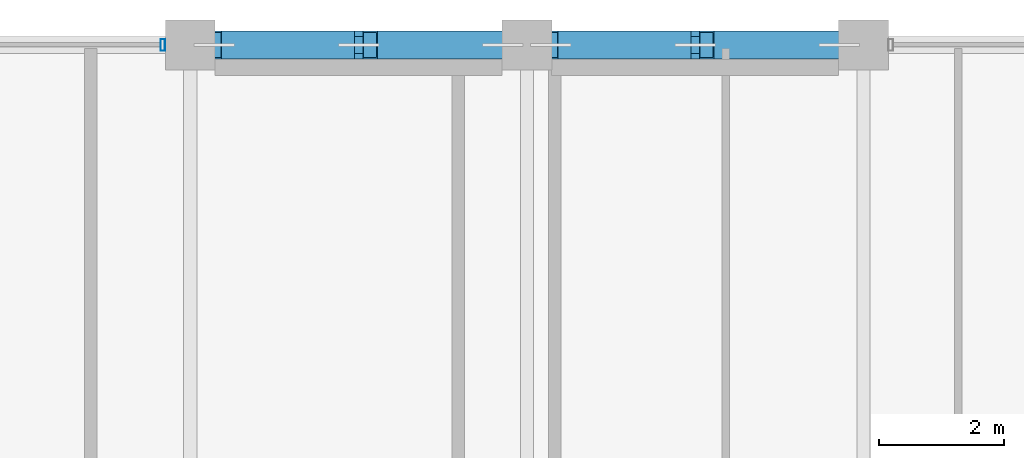
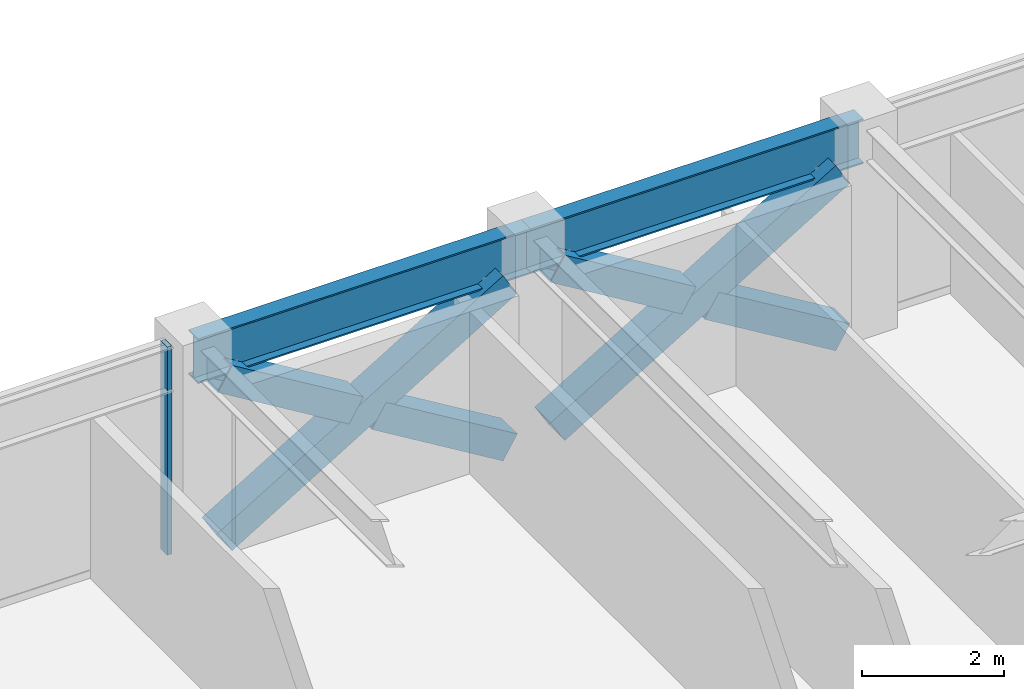
# One storey, part 21 of 32: 7 members, 2 beams, 1 element without a shape of its own.
"""IFC4 building model written with IfcOpenShell, lengths in metres."""

from ifc_helpers import new_model, si_unit, direction, frame, origin, origin_2d, place, context, subcontext, project, spatial, hollow_rectangle, i_section, extrude, material, layer, layer_set, material_profile, profile_set, type_object, element, aggregate, save


model = new_model("IFC4")

# Units and contexts
model_context = context("Model", 3, precision=1e-05, world=origin(), true_north=direction((0.0, 1.0)))
body_context = subcontext(model_context, "Body", "Model", "MODEL_VIEW")
ifc_project = project(units=[si_unit("LENGTHUNIT", "METRE"), si_unit("AREAUNIT", "SQUARE_METRE"), si_unit("VOLUMEUNIT", "CUBIC_METRE"), si_unit("PLANEANGLEUNIT", "RADIAN"), si_unit("MASSUNIT", "GRAM", prefix="KILO")], contexts=[model_context])

# Site, building, storey
site_placement = place(None, origin())
site = spatial("IfcSite", under=ifc_project, at=site_placement, CompositionType="ELEMENT")
building_placement = place(site_placement, origin())
building = spatial("IfcBuilding", under=site, at=building_placement, Name="Surkhivell Harbour Commons", CompositionType="ELEMENT")
storey_placement = place(building_placement, frame((0.0, 0.0, 219.75)))
storey = spatial("IfcBuildingStorey", under=building, at=storey_placement, Name="L57", CompositionType="ELEMENT", Elevation=219.75)

# Beams
ifc_material_1 = material(Name="Steel S355", Category="steel")
ifc_material_profile_1 = material_profile(ifc_material_1, i_section(OverallWidth=0.26806640625, OverallDepth=0.77001953125, WebThickness=0.015625, FlangeThickness=0.025390625, at=origin_2d()), Name="UB762x267x197")
ifc_profile_set_1 = profile_set([ifc_material_profile_1], Name="Steel S355")
beam_type = type_object("IfcBeamType", Name="BM-SPN-762", PredefinedType="SPANDREL", material=ifc_profile_set_1)
for number, where, z_axis, x_axis, name in (
    (1, (-5.39990234375, 25.89990234375, 3.18505859375), (1.0, 0.0, 0.0), (0.0, 1.0, 0.0), "L57 Tube Spandrel (-5.4,25.9)"),
    (2, (0.0, 25.89990234375, 3.18505859375), (1.0, 0.0, 0.0), (0.0, 1.0, 0.0), "L57 Tube Spandrel (-0.0,25.9)"),
):
    element("IfcBeam", number, at=place(storey_placement, frame(where, z_axis=z_axis, x_axis=x_axis)), inside=storey, type_object=beam_type, Name=name, PredefinedType="SPANDREL", context=body_context, shape_type="SweptSolid", body=[
        extrude(i_section(OverallWidth=0.26806640625, OverallDepth=0.77001953125, WebThickness=0.015625, FlangeThickness=0.025390625, at=origin_2d()), origin(), (0.0, 0.0, 1.0), 5.39990234375),
    ])

# Curtain wall, member
ifc_material_2 = material(Name="Anodised pale-metal aluminium and insulated glazing", Category="aluminium")
ifc_layer = layer(ifc_material_2, 0.18994140625)
ifc_layer_set = layer_set([ifc_layer], Name="Anodised pale-metal aluminium and insulated glazing")
curtain_wall_type = type_object("IfcCurtainWallType", Name="CW-SYS-Z3", PredefinedType="NOTDEFINED", material=ifc_layer_set)
curtain_wall_placement = place(storey_placement, origin())
curtain_wall = element("IfcCurtainWall", 3, at=curtain_wall_placement, inside=storey, type_object=curtain_wall_type, Name="L57 Curtain Wall CW-L57-E07S2", PredefinedType="NOTDEFINED")
ifc_material_3 = material(Name="Anodised pale-metal aluminium alloy 6063-T6", Category="aluminium")
ifc_material_profile_2 = material_profile(ifc_material_3, hollow_rectangle(XDim=0.074951171875, YDim=0.18994140625, WallThickness=0.00390625, at=origin_2d()), Name="ALU-MULL-75x190")
ifc_profile_set_2 = profile_set([ifc_material_profile_2], Name="Anodised pale-metal aluminium alloy 6063-T6")
member_type_1 = type_object("IfcMemberType", Name="CWM-190", PredefinedType="MULLION", material=ifc_profile_set_2)
member_1_placement = place(storey_placement, frame((-5.839599609375, 25.89990234375, 0.0), z_axis=(0.0, 0.0, 1.0), x_axis=(-1.0, 0.0, 0.0)))
member_1 = element("IfcMember", 4, at=member_1_placement, type_object=member_type_1, Name="CW-Z3 mullion 1", PredefinedType="MULLION", context=body_context, shape_type="SweptSolid", body=[
    extrude(hollow_rectangle(XDim=0.074951171875, YDim=0.18994140625, WallThickness=0.00390625, at=origin_2d()), origin(), (0.0, 0.0, 1.0), 3.570068359375),
])
aggregate(curtain_wall, [member_1])

# Members
ifc_material_4 = material(Name="Steel S460", Category="steel")
ifc_material_profile_3 = material_profile(ifc_material_4, hollow_rectangle(XDim=0.449951171875, YDim=0.449951171875, WallThickness=0.02197265625, at=origin_2d()), Name="SHS450x450x22")
ifc_profile_set_3 = profile_set([ifc_material_profile_3], Name="Steel S460")
member_type_2 = type_object("IfcMemberType", Name="MEM-BRC-SHS450", PredefinedType="BRACE", material=ifc_profile_set_3)
member_2_placement = place(storey_placement, frame((-5.014892578125, 25.89990234375, 0.008056640625), z_axis=(0.856023742961, 0.0, 0.516936506243), x_axis=(0.0, 1.0, 0.0)))
element("IfcMember", 5, at=member_2_placement, inside=storey, type_object=member_type_2, Name="L57 Perimeter Mega-Brace MB- 01", PredefinedType="BRACE", context=body_context, shape_type="SweptSolid", body=[
    extrude(hollow_rectangle(XDim=0.449951171875, YDim=0.449951171875, WallThickness=0.02197265625, at=origin_2d()), origin(), (0.0, 0.0, 1.0), 5.40869140625),
])
for number, where, z_axis, x_axis, name in (
    (6, (-0.385009765625, 25.89990234375, 0.008056640625), (-0.856061168755, 0.0, 0.516874525731), (0.0, -1.0, 0.0), "L57 Perimeter Mega-Brace MB- 02"),
    (7, (-2.885009765625, 25.89990234375, 1.517578125), (-0.855991532151, 0.0, 0.516989842149), (0.0, -1.0, 0.0), "L57 Perimeter Mega-Brace MB- 03"),
):
    element("IfcMember", number, at=place(storey_placement, frame(where, z_axis=z_axis, x_axis=x_axis)), inside=storey, type_object=member_type_2, Name=name, PredefinedType="BRACE", context=body_context, shape_type="SweptSolid", body=[
        extrude(hollow_rectangle(XDim=0.449951171875, YDim=0.449951171875, WallThickness=0.02197265625, at=origin_2d()), origin(), (0.0, 0.0, 1.0), 2.48828125),
    ])
member_3_placement = place(storey_placement, frame((0.385009765625, 25.89990234375, 0.008056640625), z_axis=(0.856023742961, 0.0, 0.516936506243), x_axis=(0.0, 1.0, 0.0)))
element("IfcMember", 8, at=member_3_placement, inside=storey, type_object=member_type_2, Name="L57 Perimeter Mega-Brace MB- 04", PredefinedType="BRACE", context=body_context, shape_type="SweptSolid", body=[
    extrude(hollow_rectangle(XDim=0.449951171875, YDim=0.449951171875, WallThickness=0.02197265625, at=origin_2d()), origin(), (0.0, 0.0, 1.0), 5.40869140625),
])
member_4_placement = place(storey_placement, frame((5.014892578125, 25.89990234375, 0.008056640625), z_axis=(-0.856034952881, 0.0, 0.516917942662), x_axis=(0.0, -1.0, 0.0)))
element("IfcMember", 9, at=member_4_placement, inside=storey, type_object=member_type_2, Name="L57 Perimeter Mega-Brace MB- 05", PredefinedType="BRACE", context=body_context, shape_type="SweptSolid", body=[
    extrude(hollow_rectangle(XDim=0.449951171875, YDim=0.449951171875, WallThickness=0.02197265625, at=origin_2d()), origin(), (0.0, 0.0, 1.0), 2.488037109375),
])
member_5_placement = place(storey_placement, frame((2.51513671875, 25.89990234375, 1.517578125), z_axis=(-0.856017753989, 0.0, 0.516946423584), x_axis=(0.0, -1.0, 0.0)))
element("IfcMember", 10, at=member_5_placement, inside=storey, type_object=member_type_2, Name="L57 Perimeter Mega-Brace MB- 06", PredefinedType="BRACE", context=body_context, shape_type="SweptSolid", body=[
    extrude(hollow_rectangle(XDim=0.449951171875, YDim=0.449951171875, WallThickness=0.02197265625, at=origin_2d()), origin(), (0.0, 0.0, 1.0), 2.488525390625),
])

save(model, "model.ifc")
